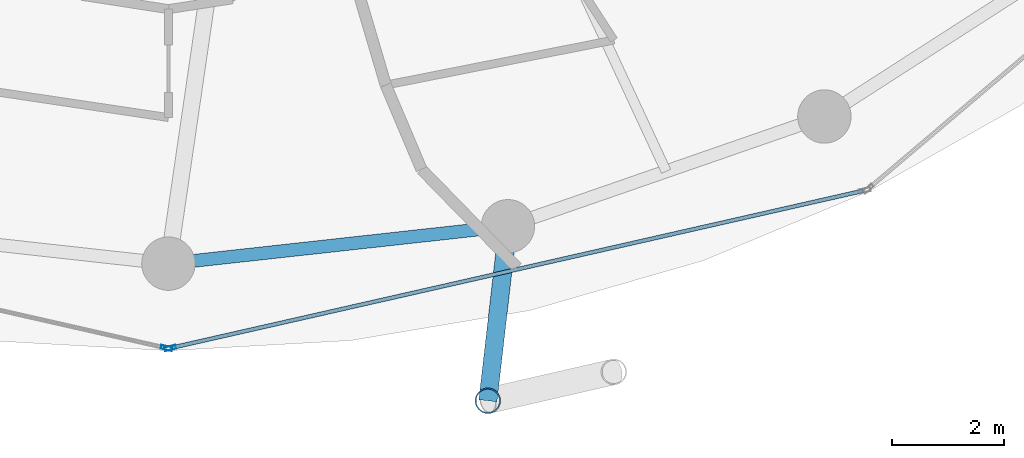
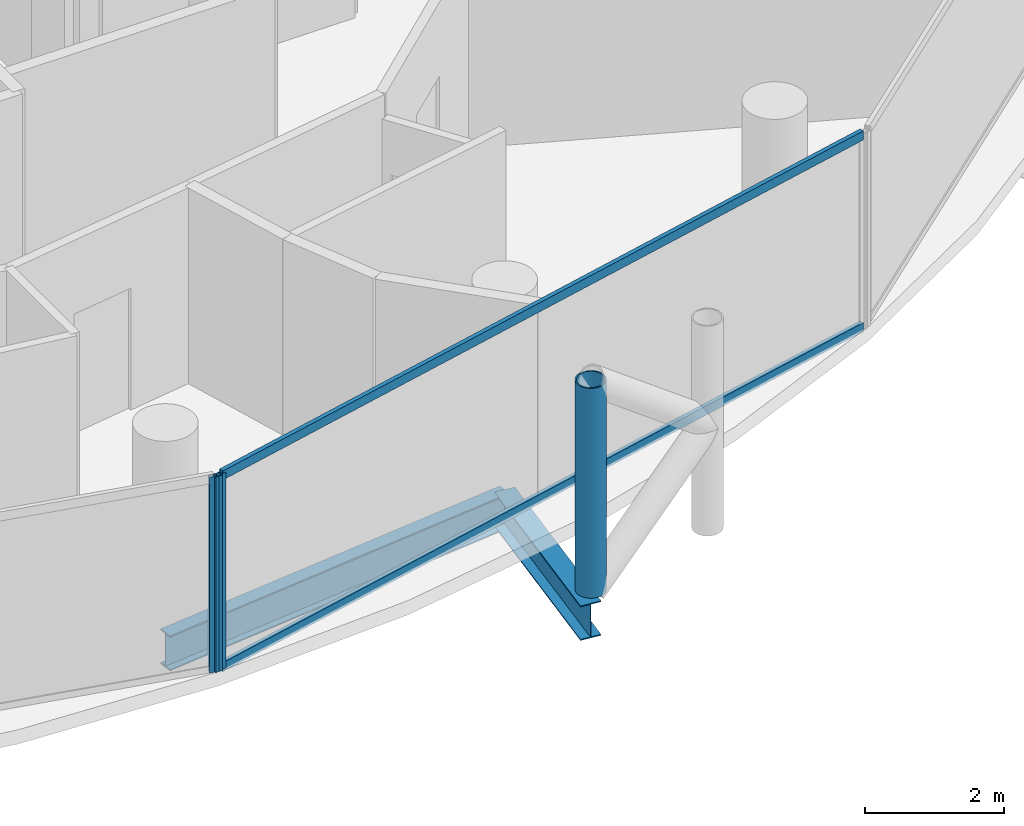
# One storey, part 4 of 26: 5 members, 2 beams, 2 elements without a shape of their own.
"""IFC4 building model written with IfcOpenShell, lengths in metres."""

from ifc_helpers import new_model, si_unit, direction, frame, origin, origin_2d, place, context, subcontext, project, spatial, hollow_rectangle, hollow_circle, i_section, extrude, material, layer, layer_set, material_profile, profile_set, type_object, element, aggregate, save


model = new_model("IFC4")

# Units and contexts
model_context = context("Model", 3, precision=1e-05, world=origin(), true_north=direction((0.0, 1.0)))
body_context = subcontext(model_context, "Body", "Model", "MODEL_VIEW")
ifc_project = project(units=[si_unit("LENGTHUNIT", "METRE"), si_unit("AREAUNIT", "SQUARE_METRE"), si_unit("VOLUMEUNIT", "CUBIC_METRE"), si_unit("PLANEANGLEUNIT", "RADIAN"), si_unit("MASSUNIT", "GRAM", prefix="KILO")], contexts=[model_context])

# Site, building, storey
site_placement = place(None, origin())
site = spatial("IfcSite", under=ifc_project, at=site_placement, CompositionType="ELEMENT")
building_placement = place(site_placement, origin())
building = spatial("IfcBuilding", under=site, at=building_placement, Name="Nuhasar Tower", CompositionType="ELEMENT")
storey_placement = place(building_placement, frame((0.0, 0.0, 118.25)))
storey = spatial("IfcBuildingStorey", under=building, at=storey_placement, Name="L27", CompositionType="ELEMENT", Elevation=118.25)

# Beams
ifc_material_1 = material(Name="Steel S355", Category="steel")
ifc_material_profile_1 = material_profile(ifc_material_1, i_section(OverallWidth=0.22998046875, OverallDepth=0.616943359375, WebThickness=0.01318359375, FlangeThickness=0.022216796875, at=origin_2d()), Name="W24X94")
ifc_profile_set_1 = profile_set([ifc_material_profile_1], Name="Steel S355")
beam_type_1 = type_object("IfcBeamType", Name="BM-RING-W24X94", PredefinedType="SPANDREL", material=ifc_profile_set_1)
beam_1_placement = place(storey_placement, frame((39.0, 7.25, -0.55810546875), z_axis=(0.993981289157, 0.109549974015, 0.0), x_axis=(-0.109549974015, 0.993981289157, 0.0)))
element("IfcBeam", 1, at=beam_1_placement, inside=storey, type_object=beam_type_1, Name="L27 Perimeter Ring Spandrel 19", PredefinedType="SPANDREL", context=body_context, shape_type="SweptSolid", body=[
    extrude(i_section(OverallWidth=0.22998046875, OverallDepth=0.616943359375, WebThickness=0.01318359375, FlangeThickness=0.022216796875, at=origin_2d()), origin(), (0.0, 0.0, 1.0), 6.07958984375),
])
ifc_material_profile_2 = material_profile(ifc_material_1, i_section(OverallWidth=0.323974609375, OverallDepth=0.611083984375, WebThickness=0.0126953125, FlangeThickness=0.01904296875, at=origin_2d()), Name="W24X104")
ifc_profile_set_2 = profile_set([ifc_material_profile_2], Name="Steel S355")
beam_type_2 = type_object("IfcBeamType", Name="BM-TIE-W24X104", PredefinedType="BEAM", material=ifc_profile_set_2)
beam_2_placement = place(storey_placement, frame((45.04296875, 7.916015625, -0.554931640625), z_axis=(-0.114167639647, -0.993461499031, 0.0), x_axis=(0.993461499031, -0.114167639647, 0.0)))
element("IfcBeam", 2, at=beam_2_placement, inside=storey, type_object=beam_type_2, Name="L27 Exoskeleton Node Tie Beam 10", PredefinedType="BEAM", context=body_context, shape_type="SweptSolid", body=[
    extrude(i_section(OverallWidth=0.323974609375, OverallDepth=0.611083984375, WebThickness=0.0126953125, FlangeThickness=0.01904296875, at=origin_2d()), origin(), (0.0, 0.0, 1.0), 3.12646484375),
])

# Curtain wall, member
ifc_material_2 = material(Name="Aluminium 6063-T6", Category="aluminium")
ifc_layer = layer(ifc_material_2, 0.199951171875)
ifc_layer_set = layer_set([ifc_layer], Name="Aluminium 6063-T6")
curtain_wall_type = type_object("IfcCurtainWallType", Name="CW-Z2-HTL", PredefinedType="NOTDEFINED", material=ifc_layer_set)
curtain_wall_1_placement = place(storey_placement, origin())
curtain_wall_1 = element("IfcCurtainWall", 3, at=curtain_wall_1_placement, inside=storey, type_object=curtain_wall_type, Name="L27 Unitised Curtain Wall 09", PredefinedType="NOTDEFINED")
ifc_material_profile_3 = material_profile(ifc_material_2, hollow_rectangle(XDim=0.070068359375, YDim=0.199951171875, WallThickness=0.0048828125, at=origin_2d()), Name="CWM-3")
ifc_profile_set_3 = profile_set([ifc_material_profile_3], Name="Aluminium 6063-T6")
member_type_1 = type_object("IfcMemberType", Name="CW-MUL-S3", PredefinedType="MULLION", material=ifc_profile_set_3)
member_1_placement = place(storey_placement, frame((38.9658203125, 5.747802734375, 0.0), z_axis=(0.0, 0.0, 1.0), x_axis=(0.22139729566, 0.975183694221, 0.0)))
member_1 = element("IfcMember", 4, at=member_1_placement, type_object=member_type_1, Name="CW-Z2 mullion 2", PredefinedType="MULLION", context=body_context, shape_type="SweptSolid", body=[
    extrude(hollow_rectangle(XDim=0.070068359375, YDim=0.199951171875, WallThickness=0.0048828125, at=origin_2d()), origin(), (0.0, 0.0, 1.0), 3.449951171875),
])
aggregate(curtain_wall_1, [member_1])

# Curtain wall, members
curtain_wall_2_placement = place(storey_placement, origin())
curtain_wall_2 = element("IfcCurtainWall", 5, at=curtain_wall_2_placement, inside=storey, type_object=curtain_wall_type, Name="L27 Unitised Curtain Wall 10", PredefinedType="NOTDEFINED")
member_2_placement = place(storey_placement, frame((39.0341796875, 5.747802734375, 0.0), z_axis=(0.0, 0.0, 1.0), x_axis=(-0.22139729566, 0.975183694221, 0.0)))
member_2 = element("IfcMember", 6, at=member_2_placement, type_object=member_type_1, Name="CW-Z2 mullion 1", PredefinedType="MULLION", context=body_context, shape_type="SweptSolid", body=[
    extrude(hollow_rectangle(XDim=0.070068359375, YDim=0.199951171875, WallThickness=0.0048828125, at=origin_2d()), origin(), (0.0, 0.0, 1.0), 3.449951171875),
])
ifc_material_profile_4 = material_profile(ifc_material_2, hollow_rectangle(XDim=0.070068359375, YDim=0.159912109375, WallThickness=0.00439453125, at=origin_2d()), Name="CWT-3")
ifc_profile_set_4 = profile_set([ifc_material_profile_4], Name="Aluminium 6063-T6")
member_type_2 = type_object("IfcMemberType", Name="CW-TRN-S3", PredefinedType="USERDEFINED", material=ifc_profile_set_4)
member_3_placement = place(storey_placement, frame((39.068359375, 5.755615234375, 0.034912109375), z_axis=(0.975187615691, 0.221380022142, 0.0), x_axis=(-0.221380022142, 0.975187615691, 0.0)))
member_3 = element("IfcMember", 7, at=member_3_placement, type_object=member_type_2, Name="CW-Z2 transom 1.1", ObjectType="TRANSOM", PredefinedType="USERDEFINED", context=body_context, shape_type="SweptSolid", body=[
    extrude(hollow_rectangle(XDim=0.070068359375, YDim=0.159912109375, WallThickness=0.00439453125, at=origin_2d()), origin(), (0.0, 0.0, 1.0), 12.606201171875),
])
member_4_placement = place(storey_placement, frame((39.068359375, 5.755615234375, 3.4150390625), z_axis=(0.975187615691, 0.221380022142, 0.0), x_axis=(-0.221380022142, 0.975187615691, 0.0)))
member_4 = element("IfcMember", 8, at=member_4_placement, type_object=member_type_2, Name="CW-Z2 transom 1.2", ObjectType="TRANSOM", PredefinedType="USERDEFINED", context=body_context, shape_type="SweptSolid", body=[
    extrude(hollow_rectangle(XDim=0.070068359375, YDim=0.159912109375, WallThickness=0.00439453125, at=origin_2d()), origin(), (0.0, 0.0, 1.0), 12.606201171875),
])
aggregate(curtain_wall_2, [member_2, member_3, member_4])

# Member
ifc_material_3 = material(Name="Steel S460", Category="steel")
ifc_material_profile_5 = material_profile(ifc_material_3, hollow_circle(Radius=0.228515625, WallThickness=0.022216796875, at=origin_2d()), Name="HSS457X22.2")
ifc_profile_set_5 = profile_set([ifc_material_profile_5], Name="Steel S460")
member_type_3 = type_object("IfcMemberType", Name="EXO-BRONZE-457", PredefinedType="BRACE", material=ifc_profile_set_5)
member_5_placement = place(storey_placement, frame((44.68603515625, 4.81005859375, 0.0), z_axis=(0.0, 0.0, 1.0), x_axis=(1.0, 0.0, 0.0)))
element("IfcMember", 9, at=member_5_placement, inside=storey, type_object=member_type_3, Name="L27 Exoskeleton Chord Column EC-10A", PredefinedType="BRACE", context=body_context, shape_type="SweptSolid", body=[
    extrude(hollow_circle(Radius=0.228515625, WallThickness=0.022216796875, at=origin_2d()), origin(), (0.0, 0.0, 1.0), 3.699951171875),
])

save(model, "model.ifc")
